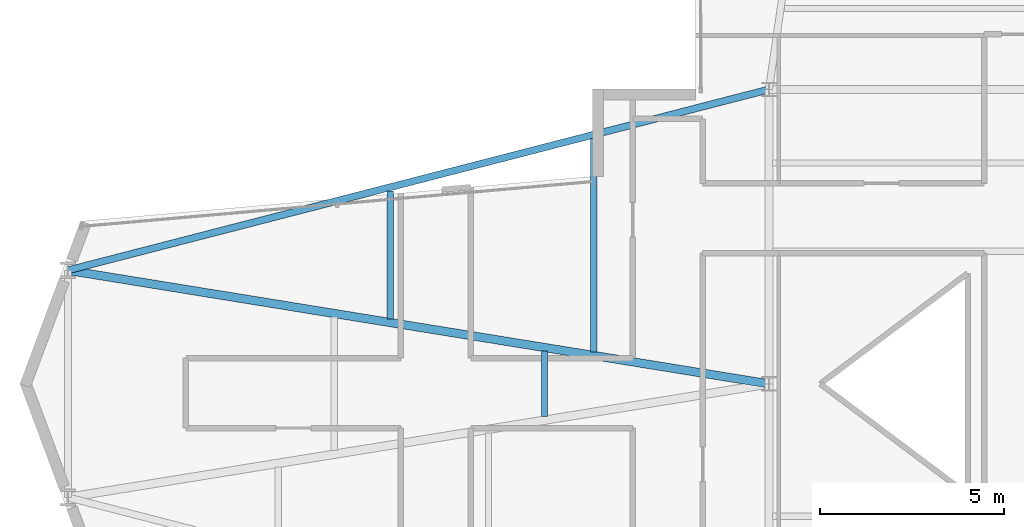
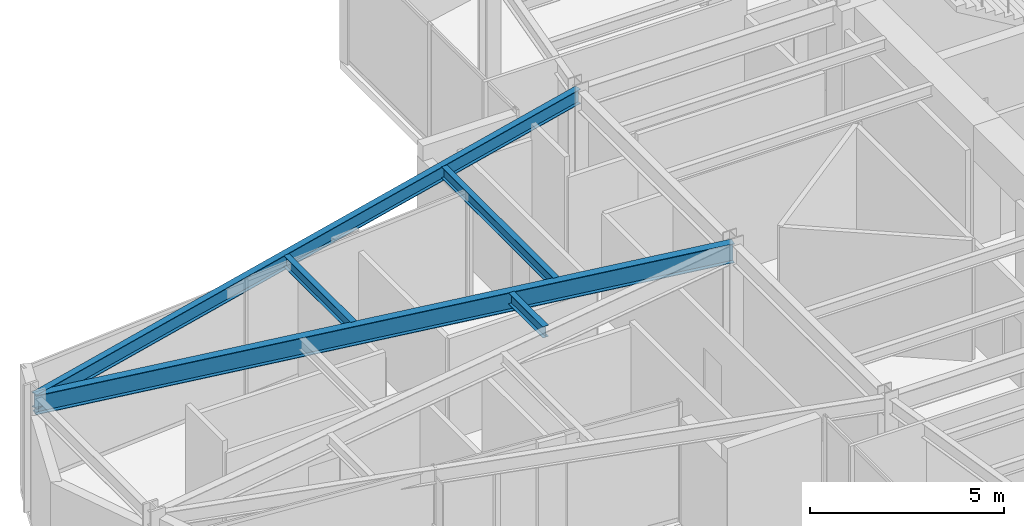
# One storey, part 9 of 25: 5 beams.
"""IFC4 building model written with IfcOpenShell, lengths in metres."""

from ifc_helpers import new_model, si_unit, direction, frame, origin, origin_2d, place, context, subcontext, project, spatial, i_section, extrude, material, material_profile, profile_set, type_object, element, save


model = new_model("IFC4")

# Units and contexts
model_context = context("Model", 3, precision=1e-05, world=origin(), true_north=direction((0.0, 1.0)))
body_context = subcontext(model_context, "Body", "Model", "MODEL_VIEW")
ifc_project = project(units=[si_unit("LENGTHUNIT", "METRE"), si_unit("AREAUNIT", "SQUARE_METRE"), si_unit("VOLUMEUNIT", "CUBIC_METRE"), si_unit("PLANEANGLEUNIT", "RADIAN"), si_unit("MASSUNIT", "GRAM", prefix="KILO")], contexts=[model_context])

# Site, building, storey
site_placement = place(None, origin())
site = spatial("IfcSite", under=ifc_project, at=site_placement, CompositionType="ELEMENT")
building_placement = place(site_placement, origin())
building = spatial("IfcBuilding", under=site, at=building_placement, Name="Veymaron Broadcast Tower", CompositionType="ELEMENT")
storey_placement = place(building_placement, frame((0.0, 0.0, 169.5)))
storey = spatial("IfcBuildingStorey", under=building, at=storey_placement, Name="L39", CompositionType="ELEMENT", Elevation=169.5)

# Beams
ifc_material = material(Name="Structural steel ASTM A992 Gr 50", Category="steel")
ifc_material_profile_1 = material_profile(ifc_material, i_section(OverallWidth=0.22802734375, OverallDepth=0.60791015625, WebThickness=0.01123046875, FlangeThickness=0.017333984375, at=origin_2d()), Name="W610X113")
ifc_profile_set_1 = profile_set([ifc_material_profile_1], Name="Structural steel ASTM A992 Gr 50")
beam_type_1 = type_object("IfcBeamType", Name="BM-FG2", PredefinedType="BEAM", material=ifc_profile_set_1)
beam_1_placement = place(storey_placement, frame((12.14697265625, 27.0849609375, 3.506103515625), z_axis=(0.987144017424, -0.159833315875, 0.0), x_axis=(0.159833315875, 0.987144017424, 0.0)))
element("IfcBeam", 1, at=beam_1_placement, inside=storey, type_object=beam_type_1, Name="L39 primary structural floor girder", PredefinedType="BEAM", context=body_context, shape_type="SweptSolid", body=[
    extrude(i_section(OverallWidth=0.22802734375, OverallDepth=0.60791015625, WebThickness=0.01123046875, FlangeThickness=0.017333984375, at=origin_2d()), origin(), (0.0, 0.0, 1.0), 19.301025390625),
])
ifc_material_profile_2 = material_profile(ifc_material, i_section(OverallWidth=0.1708984375, OverallDepth=0.35498046875, WebThickness=0.007080078125, FlangeThickness=0.01171875, at=origin_2d()), Name="W360X51")
ifc_profile_set_2 = profile_set([ifc_material_profile_2], Name="Structural steel ASTM A992 Gr 50")
beam_type_2 = type_object("IfcBeamType", Name="BM-JS2", PredefinedType="JOIST", material=ifc_profile_set_2)
beam_2_placement = place(storey_placement, frame((20.911376953125, 25.765869140625, 3.632568359375), z_axis=(0.0, 1.0, 0.0), x_axis=(-1.0, 0.0, 0.0)))
element("IfcBeam", 2, at=beam_2_placement, inside=storey, type_object=beam_type_2, Name="L39 Arm-A secondary joist 1N", PredefinedType="JOIST", context=body_context, shape_type="SweptSolid", body=[
    extrude(i_section(OverallWidth=0.1708984375, OverallDepth=0.35498046875, WebThickness=0.007080078125, FlangeThickness=0.01171875, at=origin_2d()), origin(), (0.0, 0.0, 1.0), 3.47998046875),
])
beam_3_placement = place(storey_placement, frame((25.10302734375, 23.11279296875, 3.632568359375), z_axis=(0.0, 1.0, 0.0), x_axis=(-1.0, 0.0, 0.0)))
element("IfcBeam", 3, at=beam_3_placement, inside=storey, type_object=beam_type_2, Name="L39 Arm-A secondary joist 2M", PredefinedType="JOIST", context=body_context, shape_type="SweptSolid", body=[
    extrude(i_section(OverallWidth=0.1708984375, OverallDepth=0.35498046875, WebThickness=0.007080078125, FlangeThickness=0.01171875, at=origin_2d()), origin(), (0.0, 0.0, 1.0), 1.7744140625),
])
beam_4_placement = place(storey_placement, frame((26.436767578125, 24.871337890625, 3.632568359375), z_axis=(0.0, 1.0, 0.0), x_axis=(-1.0, 0.0, 0.0)))
element("IfcBeam", 4, at=beam_4_placement, inside=storey, type_object=beam_type_2, Name="L39 Arm-A secondary joist 2N", PredefinedType="JOIST", context=body_context, shape_type="SweptSolid", body=[
    extrude(i_section(OverallWidth=0.1708984375, OverallDepth=0.35498046875, WebThickness=0.007080078125, FlangeThickness=0.01171875, at=origin_2d()), origin(), (0.0, 0.0, 1.0), 5.800048828125),
])
ifc_material_profile_3 = material_profile(ifc_material, i_section(OverallWidth=0.19091796875, OverallDepth=0.4599609375, WebThickness=0.010009765625, FlangeThickness=0.01611328125, at=origin_2d()), Name="W460X82")
ifc_profile_set_3 = profile_set([ifc_material_profile_3], Name="Structural steel ASTM A992 Gr 50")
beam_type_3 = type_object("IfcBeamType", Name="BM-SP1", PredefinedType="SPANDREL", material=ifc_profile_set_3)
beam_5_placement = place(storey_placement, frame((12.14697265625, 27.0849609375, 3.580078125), z_axis=(0.968300173822, 0.249789458097, 0.0), x_axis=(-0.249789458097, 0.968300173822, 0.0)))
element("IfcBeam", 5, at=beam_5_placement, inside=storey, type_object=beam_type_3, Name="L39 primary structural floor girder", PredefinedType="SPANDREL", context=body_context, shape_type="SweptSolid", body=[
    extrude(i_section(OverallWidth=0.19091796875, OverallDepth=0.4599609375, WebThickness=0.010009765625, FlangeThickness=0.01611328125, at=origin_2d()), origin(), (0.0, 0.0, 1.0), 19.6767578125),
])

save(model, "model.ifc")
